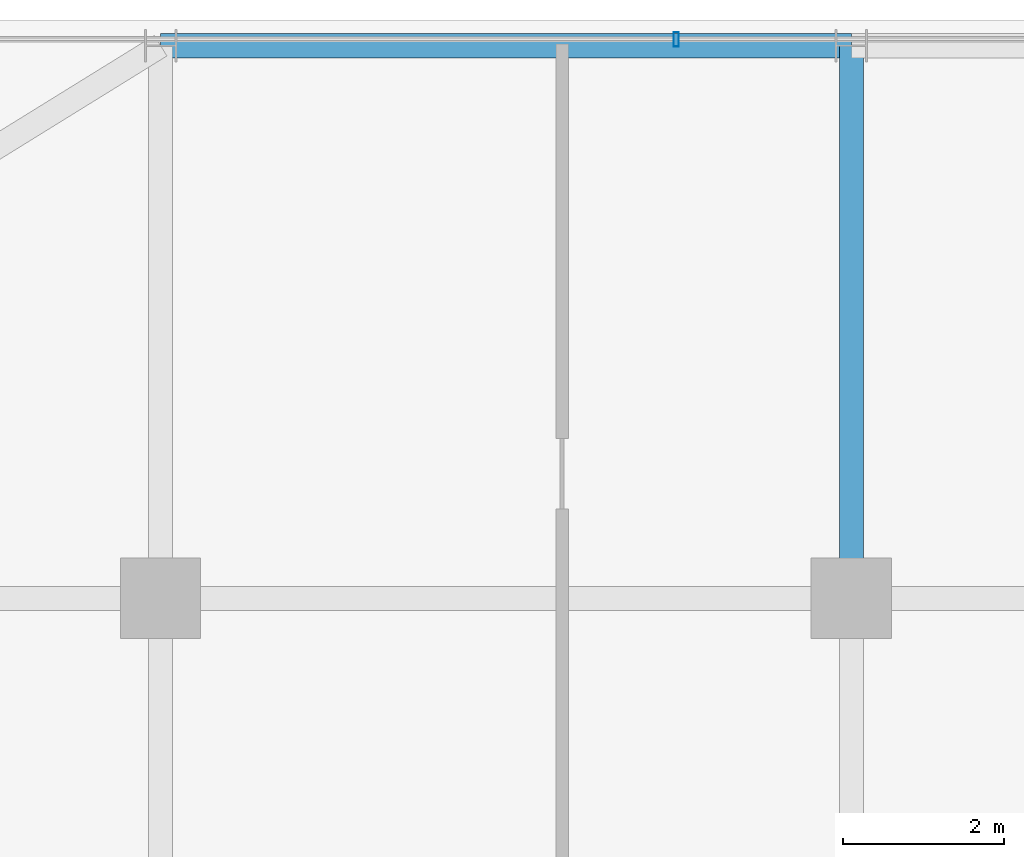
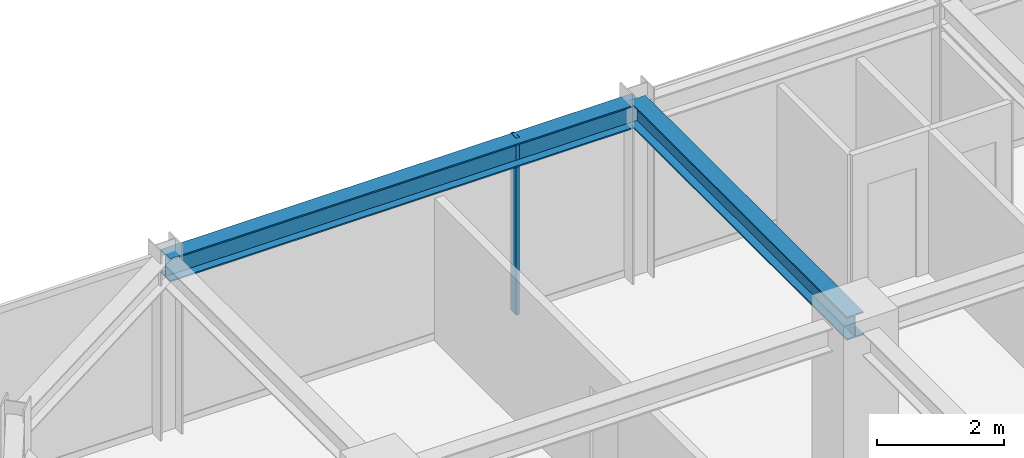
# One storey, part 21 of 35: 2 beams, 1 member, 1 element without a shape of its own.
"""IFC4 building model written with IfcOpenShell, lengths in metres."""

from ifc_helpers import new_model, si_unit, direction, frame, origin, origin_2d, place, context, subcontext, project, spatial, hollow_rectangle, i_section, extrude, source, transform, mapped, material, material_profile, profile_set, type_object, element, aggregate, save


model = new_model("IFC4")

# Units and contexts
model_context = context("Model", 3, precision=1e-05, world=origin(), true_north=direction((0.0, 1.0)))
body_context = subcontext(model_context, "Body", "Model", "MODEL_VIEW")
ifc_project = project(units=[si_unit("LENGTHUNIT", "METRE"), si_unit("AREAUNIT", "SQUARE_METRE"), si_unit("VOLUMEUNIT", "CUBIC_METRE"), si_unit("PLANEANGLEUNIT", "RADIAN"), si_unit("MASSUNIT", "GRAM", prefix="KILO")], contexts=[model_context])

# Site, building, storey
site_placement = place(None, origin())
site = spatial("IfcSite", under=ifc_project, at=site_placement, CompositionType="ELEMENT")
building_placement = place(site_placement, origin())
building = spatial("IfcBuilding", under=site, at=building_placement, Name="Nahalor Promenade Grand Hotel", CompositionType="ELEMENT")
storey_placement = place(building_placement, frame((0.0, 0.0, 245.60009765625)))
storey = spatial("IfcBuildingStorey", under=building, at=storey_placement, Name="L63", CompositionType="ELEMENT", Elevation=245.60009765625)

# Beams
ifc_material_1 = material(Name="Steel S355JR", Category="steel")
ifc_material_profile_1 = material_profile(ifc_material_1, i_section(OverallWidth=0.3, OverallDepth=0.45, WebThickness=0.014, FlangeThickness=0.026, at=origin_2d()), Name="HEB 450")
ifc_profile_set_1 = profile_set([ifc_material_profile_1], Name="Steel S355JR")
beam_type_1 = type_object("IfcBeamType", Name="Beam-Spandrel-HEB450", PredefinedType="SPANDREL", material=ifc_profile_set_1)
shared_shape_1 = source(origin(), body_context, "Body", "SweptSolid", [
    extrude(i_section(OverallWidth=0.3, OverallDepth=0.45, WebThickness=0.014, FlangeThickness=0.026, at=origin_2d()), origin(), (0.0, 0.0, 1.0), 8.60009765625),
])
beam_1_placement = place(storey_placement, frame((-17.0, 23.8798828125, 3.184814453125), z_axis=(1.0, 0.0, 0.0), x_axis=(0.0, 1.0, 0.0)))
element("IfcBeam", 1, at=beam_1_placement, inside=storey, type_object=beam_type_1, Name="BM-L63-SP-N-0", PredefinedType="SPANDREL", context=body_context, shape_type="MappedRepresentation", body=[
    mapped(shared_shape_1, transform((0.0, 0.0, 0.0), scale=1.0)),
])
ifc_material_profile_2 = material_profile(ifc_material_1, i_section(OverallWidth=0.3, OverallDepth=0.45, WebThickness=0.014, FlangeThickness=0.026, at=origin_2d()), Name="HEB 450")
ifc_profile_set_2 = profile_set([ifc_material_profile_2], Name="Steel S355JR")
beam_type_2 = type_object("IfcBeamType", Name="Beam-Girder-HEB450", PredefinedType="BEAM", material=ifc_profile_set_2)
shared_shape_2 = source(origin(), body_context, "Body", "SweptSolid", [
    extrude(i_section(OverallWidth=0.3, OverallDepth=0.45, WebThickness=0.014, FlangeThickness=0.026, at=origin_2d()), origin(), (0.0, 0.0, 1.0), 6.8798828125),
])
beam_2_placement = place(storey_placement, frame((-8.39990234375, 17.0, 3.184814453125), z_axis=(0.0, 1.0, 0.0), x_axis=(-1.0, 0.0, 0.0)))
element("IfcBeam", 2, at=beam_2_placement, inside=storey, type_object=beam_type_2, Name="BM-L63-GY-1-4", PredefinedType="BEAM", context=body_context, shape_type="MappedRepresentation", body=[
    mapped(shared_shape_2, transform((0.0, 0.0, 0.0), scale=1.0)),
])

# Curtain wall, member
ifc_material_2 = material(Name="Anodised Bronze Aluminium EN AW-6063 T6", Category="aluminium")
curtain_wall_type = type_object("IfcCurtainWallType", Name="CW2 Typical Hotel Flush Bronze Unitised Curtain Wall", PredefinedType="USERDEFINED", material=ifc_material_2)
curtain_wall_placement = place(storey_placement, origin())
curtain_wall = element("IfcCurtainWall", 3, at=curtain_wall_placement, inside=storey, type_object=curtain_wall_type, Name="L63 Curtain Wall CW-L63-N-1", ObjectType="UNITISED_CURTAIN_WALL", PredefinedType="USERDEFINED")
ifc_material_profile_3 = material_profile(ifc_material_2, hollow_rectangle(XDim=0.065, YDim=0.18, WallThickness=0.004, at=origin_2d()), Name="CWM 65x180x4")
ifc_profile_set_3 = profile_set([ifc_material_profile_3], Name="Anodised Bronze Aluminium EN AW-6063 T6")
member_type = type_object("IfcMemberType", Name="CWM2 Typical Bronze Mullion 65x180", PredefinedType="MULLION", material=ifc_profile_set_3)
shared_shape_3 = source(origin(), body_context, "Body", "SweptSolid", [
    extrude(hollow_rectangle(XDim=0.065, YDim=0.18, WallThickness=0.004, at=origin_2d()), origin(), (0.0, 0.0, 1.0), 3.409912109375),
])
member_placement = place(storey_placement, frame((-10.580078125, 23.9599609375, 0.0), z_axis=(0.0, 0.0, 1.0), x_axis=(1.0, 0.0, 0.0)))
member = element("IfcMember", 4, at=member_placement, type_object=member_type, Name="CW-L63-N-1 Mullion 1", PredefinedType="MULLION", context=body_context, shape_type="MappedRepresentation", body=[
    mapped(shared_shape_3, transform((0.0, 0.0, 0.0), scale=1.0)),
])
aggregate(curtain_wall, [member])

save(model, "model.ifc")
